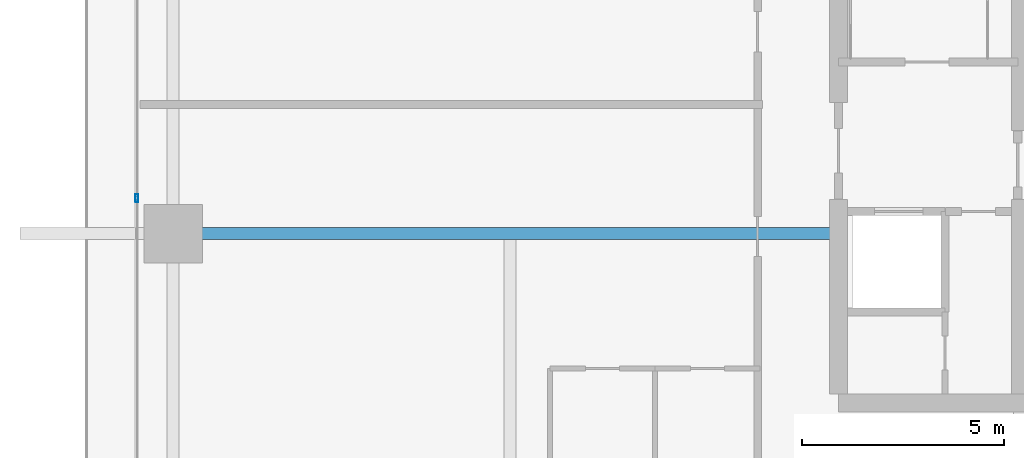
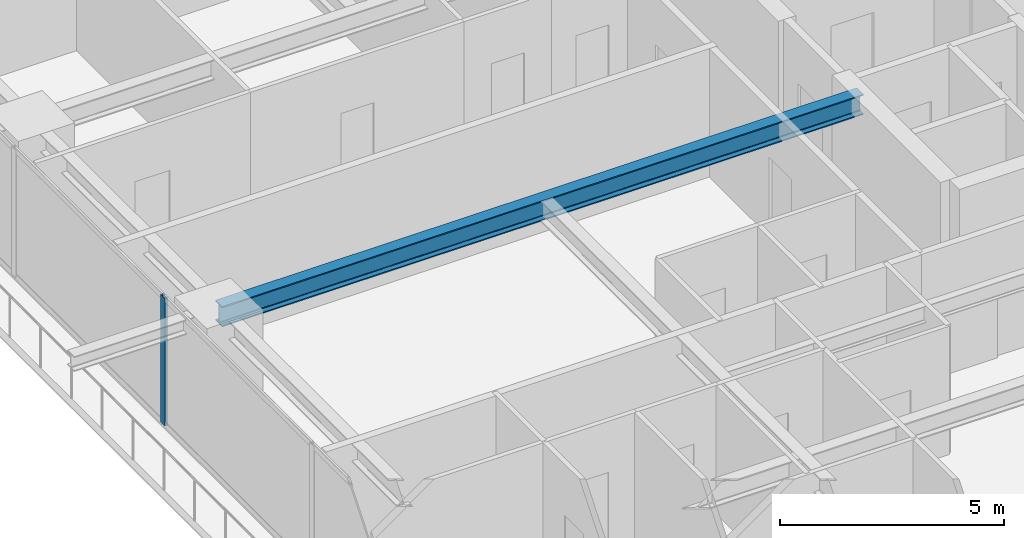
# One storey, part 7 of 38: 1 beam, 1 member, 1 element without a shape of its own.
"""IFC4 building model written with IfcOpenShell, lengths in metres."""

from ifc_helpers import new_model, si_unit, direction, frame, origin, origin_2d, place, context, subcontext, project, spatial, hollow_rectangle, i_section, extrude, source, transform, mapped, material, layer, layer_set, material_profile, profile_set, type_object, element, aggregate, save


model = new_model("IFC4")

# Units and contexts
model_context = context("Model", 3, precision=1e-05, world=origin(), true_north=direction((0.0, 1.0)))
body_context = subcontext(model_context, "Body", "Model", "MODEL_VIEW")
ifc_project = project(units=[si_unit("LENGTHUNIT", "METRE"), si_unit("AREAUNIT", "SQUARE_METRE"), si_unit("VOLUMEUNIT", "CUBIC_METRE"), si_unit("PLANEANGLEUNIT", "RADIAN"), si_unit("MASSUNIT", "GRAM", prefix="KILO")], contexts=[model_context])

# Site, building, storey
site_placement = place(None, origin())
site = spatial("IfcSite", under=ifc_project, at=site_placement, CompositionType="ELEMENT")
building_placement = place(site_placement, origin())
building = spatial("IfcBuilding", under=site, at=building_placement, Name="Serunith Strait Residences", CompositionType="ELEMENT")
storey_placement = place(building_placement, frame((0.0, 0.0, 67.949951171875)))
storey = spatial("IfcBuildingStorey", under=building, at=storey_placement, Name="L16", CompositionType="ELEMENT", Elevation=67.949951171875)

# Beam
ifc_material_1 = material(Name="Steel S355J2", Category="steel")
ifc_material_profile_1 = material_profile(ifc_material_1, i_section(OverallWidth=0.300048828125, OverallDepth=0.550048828125, WebThickness=0.014892578125, FlangeThickness=0.029052734375, FilletRadius=0.027099609375, at=origin_2d()), Name="HEB 550")
ifc_profile_set_1 = profile_set([ifc_material_profile_1], Name="Steel S355J2")
beam_type = type_object("IfcBeamType", Name="BM-HEB550", PredefinedType="BEAM", material=ifc_profile_set_1)
shared_shape_1 = source(origin(), body_context, "Body", "SweptSolid", [
    extrude(i_section(OverallWidth=0.300048828125, OverallDepth=0.550048828125, WebThickness=0.014892578125, FlangeThickness=0.029052734375, FilletRadius=0.027099609375, at=origin_2d()), origin(), (0.0, 0.0, 1.0), 16.5),
])
beam_placement = place(storey_placement, frame((23.39990234375, 21.0, 3.212158203125), z_axis=(-1.0, 0.0, 0.0), x_axis=(0.0, -1.0, 0.0)))
element("IfcBeam", 1, at=beam_placement, inside=storey, type_object=beam_type, Name="L16 Primary Floor Girder TC-W2", PredefinedType="BEAM", context=body_context, shape_type="MappedRepresentation", body=[
    mapped(shared_shape_1, transform((0.0, 0.0, 0.0), scale=1.0)),
])

# Curtain wall, member
ifc_material_2 = material(Name="Pale-Champagne Anodised Aluminium", Category="aluminium")
ifc_layer = layer(ifc_material_2, 0.199951171875, Name="Pale-Champagne Anodised Aluminium")
ifc_layer_set = layer_set([ifc_layer], Name="Pale-Champagne Anodised Aluminium")
curtain_wall_type = type_object("IfcCurtainWallType", Name="CW-SYS1", PredefinedType="NOTDEFINED", material=ifc_layer_set)
curtain_wall_placement = place(storey_placement, origin())
curtain_wall = element("IfcCurtainWall", 2, at=curtain_wall_placement, inside=storey, type_object=curtain_wall_type, Name="L16 W Unitised Fritted Curtain Wall", PredefinedType="NOTDEFINED")
ifc_material_profile_2 = material_profile(ifc_material_2, hollow_rectangle(XDim=0.070068359375, YDim=0.199951171875, WallThickness=0.00390625, InnerFilletRadius=0.006103515625, OuterFilletRadius=0.010009765625, at=origin_2d()), Name="ALU 200x70x4")
ifc_profile_set_2 = profile_set([ifc_material_profile_2], Name="Pale-Champagne Anodised Aluminium")
member_type = type_object("IfcMemberType", Name="CW-SYS1-MULL", PredefinedType="MULLION", material=ifc_profile_set_2)
shared_shape_2 = source(origin(), body_context, "Body", "SweptSolid", [
    extrude(hollow_rectangle(XDim=0.070068359375, YDim=0.199951171875, WallThickness=0.00390625, InnerFilletRadius=0.006103515625, OuterFilletRadius=0.010009765625, at=origin_2d()), origin(), (0.0, 0.0, 1.0), 3.47509765625),
])
member_placement = place(storey_placement, frame((6.0, 21.8798828125, 0.0), z_axis=(0.0, 0.0, 1.0), x_axis=(1.0, 0.0, 0.0)))
member = element("IfcMember", 3, at=member_placement, type_object=member_type, Name="CW-1 mullion 4", PredefinedType="MULLION", context=body_context, shape_type="MappedRepresentation", body=[
    mapped(shared_shape_2, transform((0.0, 0.0, 0.0), scale=1.0)),
])
aggregate(curtain_wall, [member])

save(model, "model.ifc")
